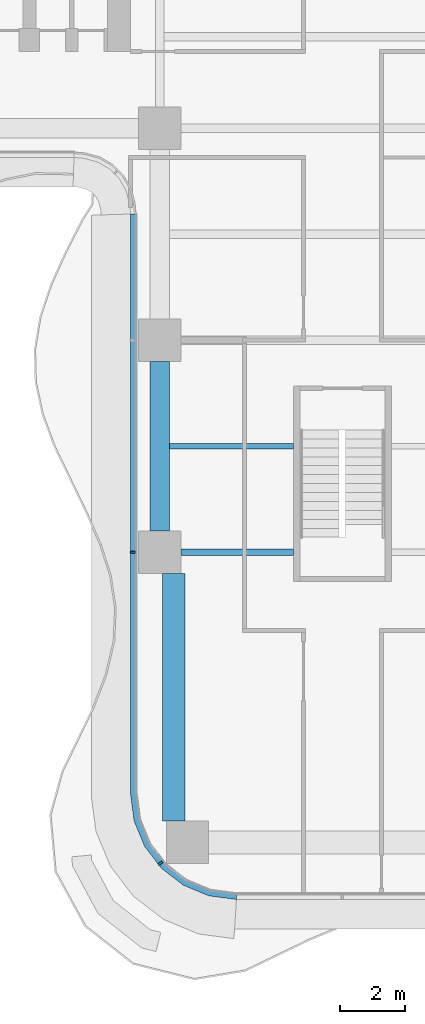
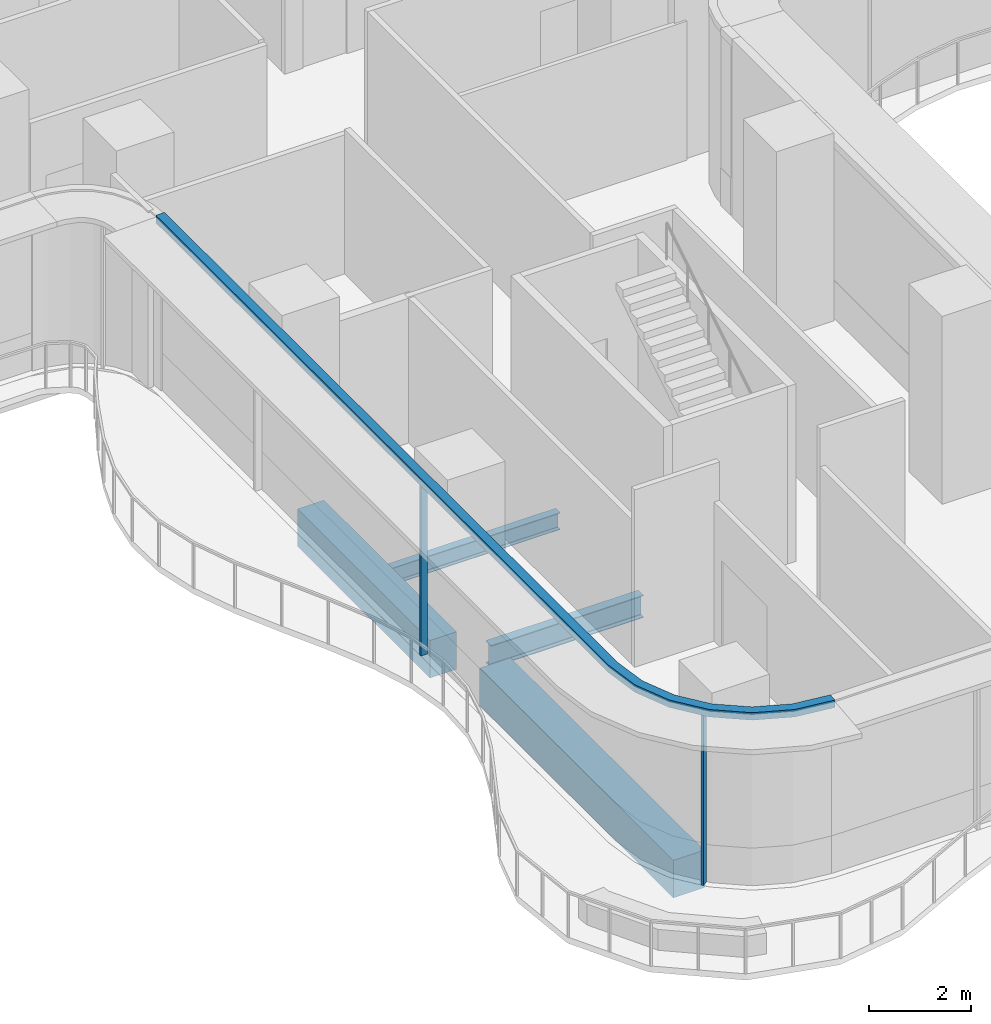
# One storey, part 2 of 23: 4 beams, 3 members, 1 element without a shape of its own.
"""IFC4 building model written with IfcOpenShell, lengths in metres."""

from ifc_helpers import new_model, si_unit, direction, frame, origin, origin_2d, place, context, subcontext, project, spatial, polyline, rectangle, i_section, outline, extrude, source, transform, mapped, material, layer, layer_set, material_profile, profile_set, type_object, element, aggregate, save


model = new_model("IFC4")

# Units and contexts
model_context = context("Model", 3, precision=1e-05, world=origin(), true_north=direction((0.0, 1.0)))
body_context = subcontext(model_context, "Body", "Model", "MODEL_VIEW")
ifc_project = project(units=[si_unit("LENGTHUNIT", "METRE"), si_unit("AREAUNIT", "SQUARE_METRE"), si_unit("VOLUMEUNIT", "CUBIC_METRE"), si_unit("PLANEANGLEUNIT", "RADIAN"), si_unit("MASSUNIT", "GRAM", prefix="KILO")], contexts=[model_context])

# Site, building, storey
site_placement = place(None, origin())
site = spatial("IfcSite", under=ifc_project, at=site_placement, CompositionType="ELEMENT")
building_placement = place(site_placement, origin())
building = spatial("IfcBuilding", under=site, at=building_placement, Name="Trellis Farm Tower", CompositionType="ELEMENT")
storey_placement = place(building_placement, frame((0.0, 0.0, 111.0)))
storey = spatial("IfcBuildingStorey", under=building, at=storey_placement, Name="L23", CompositionType="ELEMENT", Elevation=111.0)

# Beams
ifc_material_1 = material(Name="Steel S355", Category="steel")
ifc_material_profile_1 = material_profile(ifc_material_1, i_section(OverallWidth=0.177978515625, OverallDepth=0.406494140625, WebThickness=0.0078125, FlangeThickness=0.0126953125, FilletRadius=0.01025390625, at=origin_2d()), Name="UB 406x178x60")
ifc_profile_set_1 = profile_set([ifc_material_profile_1], Name="Steel S355")
beam_type_1 = type_object("IfcBeamType", Name="UB 406x178x60 joist", PredefinedType="JOIST", material=ifc_profile_set_1)
shared_shape_1 = source(origin(), body_context, "Body", "SweptSolid", [
    extrude(i_section(OverallWidth=0.177978515625, OverallDepth=0.406494140625, WebThickness=0.0078125, FlangeThickness=0.0126953125, FilletRadius=0.01025390625, at=origin_2d()), origin(), (0.0, 0.0, 1.0), 3.800048828125),
])
beam_1_placement = place(storey_placement, frame((-5.300048828125, -15.35009765625, -0.453125), z_axis=(1.0, 0.0, 0.0), x_axis=(0.0, 1.0, 0.0)))
element("IfcBeam", 1, at=beam_1_placement, inside=storey, type_object=beam_type_1, Name="Floor beam", PredefinedType="JOIST", context=body_context, shape_type="MappedRepresentation", body=[
    mapped(shared_shape_1, transform((0.0, 0.0, 0.0))),
])
ifc_material_profile_2 = material_profile(ifc_material_1, i_section(OverallWidth=0.209228515625, OverallDepth=0.533203125, WebThickness=0.010009765625, FlangeThickness=0.015625, FilletRadius=0.0126953125, at=origin_2d()), Name="UB 533x210x92")
ifc_profile_set_2 = profile_set([ifc_material_profile_2], Name="Steel S355")
beam_type_2 = type_object("IfcBeamType", Name="UB 533x210x92", PredefinedType="BEAM", material=ifc_profile_set_2)
shared_shape_2 = source(origin(), body_context, "Body", "SweptSolid", [
    extrude(i_section(OverallWidth=0.209228515625, OverallDepth=0.533203125, WebThickness=0.010009765625, FlangeThickness=0.015625, FilletRadius=0.0126953125, at=origin_2d()), origin(), (0.0, 0.0, 1.0), 3.449951171875),
])
beam_2_placement = place(storey_placement, frame((-4.949951171875, -18.60009765625, -0.5166015625), z_axis=(1.0, 0.0, 0.0), x_axis=(0.0, 1.0, 0.0)))
element("IfcBeam", 2, at=beam_2_placement, inside=storey, type_object=beam_type_2, Name="Girder", PredefinedType="BEAM", context=body_context, shape_type="MappedRepresentation", body=[
    mapped(shared_shape_2, transform((0.0, 0.0, 0.0))),
])
ifc_material_2 = material(Name="Concrete C60/75", Category="concrete")
ifc_material_profile_3 = material_profile(ifc_material_2, rectangle(XDim=0.60009765625, YDim=0.89990234375, at=origin_2d()), Name="RC spandrel beam 600x900 C60/75")
ifc_profile_set_3 = profile_set([ifc_material_profile_3], Name="Concrete C60/75")
beam_type_3 = type_object("IfcBeamType", Name="RC spandrel beam 600x900 C60/75", PredefinedType="SPANDREL", material=ifc_profile_set_3)
shared_shape_3 = source(origin(), body_context, "Body", "SweptSolid", [
    extrude(rectangle(XDim=0.60009765625, YDim=0.89990234375, at=origin_2d()), origin(), (0.0, 0.0, 1.0), 5.199951171875),
])
beam_3_placement = place(storey_placement, frame((-5.60009765625, -17.949951171875, -0.699951171875), z_axis=(0.0, 1.0, 0.0), x_axis=(-1.0, 0.0, 0.0)))
element("IfcBeam", 3, at=beam_3_placement, inside=storey, type_object=beam_type_3, Name="Girder", PredefinedType="SPANDREL", context=body_context, shape_type="MappedRepresentation", body=[
    mapped(shared_shape_3, transform((0.0, 0.0, 0.0))),
])
ifc_material_profile_4 = material_profile(ifc_material_2, rectangle(XDim=0.699951171875, YDim=0.89990234375, at=origin_2d()), Name="RC spandrel beam 700x900 C60/75")
ifc_profile_set_4 = profile_set([ifc_material_profile_4], Name="Concrete C60/75")
beam_type_4 = type_object("IfcBeamType", Name="RC spandrel beam 700x900 C60/75", PredefinedType="SPANDREL", material=ifc_profile_set_4)
shared_shape_4 = source(origin(), body_context, "Body", "SweptSolid", [
    extrude(rectangle(XDim=0.699951171875, YDim=0.89990234375, at=origin_2d()), origin(), (0.0, 0.0, 1.0), 7.60009765625),
])
beam_4_placement = place(storey_placement, frame((-5.175048828125, -26.85009765625, -0.699951171875), z_axis=(0.0, 1.0, 0.0), x_axis=(-1.0, 0.0, 0.0)))
element("IfcBeam", 4, at=beam_4_placement, inside=storey, type_object=beam_type_4, Name="Girder", PredefinedType="SPANDREL", context=body_context, shape_type="MappedRepresentation", body=[
    mapped(shared_shape_4, transform((0.0, 0.0, 0.0))),
])

# Curtain wall, members
ifc_material_3 = material(Name="Aluminium and glass curtain wall", Category="aluminium")
ifc_layer_1 = layer(ifc_material_3, 0.18994140625)
ifc_layer_set_1 = layer_set([ifc_layer_1], Name="RIBBON CURTAIN WALL CW1")
curtain_wall_type = type_object("IfcCurtainWallType", Name="RIBBON CURTAIN WALL CW1", PredefinedType="NOTDEFINED", material=ifc_layer_set_1)
curtain_wall_placement = place(storey_placement, origin())
curtain_wall = element("IfcCurtainWall", 5, at=curtain_wall_placement, inside=storey, type_object=curtain_wall_type, Name="CW1 002", PredefinedType="NOTDEFINED")
ifc_material_4 = material(Name="Aluminium extrusion 6063-T6", Category="aluminium")
ifc_material_profile_5 = material_profile(ifc_material_4, rectangle(XDim=0.06005859375, YDim=0.14990234375, at=origin_2d()), Name="MULLION 60x150")
ifc_profile_set_5 = profile_set([ifc_material_profile_5], Name="Aluminium extrusion 6063-T6")
member_type_1 = type_object("IfcMemberType", Name="CW1 MULLION 60x150", PredefinedType="MULLION", material=ifc_profile_set_5)
shared_shape_5 = source(origin(), body_context, "Body", "SweptSolid", [
    extrude(rectangle(XDim=0.06005859375, YDim=0.14990234375, at=origin_2d()), origin(), (0.0, 0.0, 1.0), 4.070068359375),
])
member_1_placement = place(storey_placement, frame((-6.425048828125, -18.60009765625, 0.0), z_axis=(0.0, 0.0, 1.0), x_axis=(0.0, -1.0, 0.0)))
member_1 = element("IfcMember", 6, at=member_1_placement, type_object=member_type_1, Name="MU1 002-02", PredefinedType="MULLION", context=body_context, shape_type="MappedRepresentation", body=[
    mapped(shared_shape_5, transform((0.0, 0.0, 0.0))),
])
member_2_placement = place(storey_placement, frame((-5.578369140625, -28.135498046875, 0.0), z_axis=(0.0, 0.0, 1.0), x_axis=(0.608761429009, -0.793353340291, 0.0)))
member_2 = element("IfcMember", 7, at=member_2_placement, type_object=member_type_1, Name="MU1 002-03", PredefinedType="MULLION", context=body_context, shape_type="MappedRepresentation", body=[
    mapped(shared_shape_5, transform((0.0, 0.0, 0.0))),
])
ifc_layer_2 = layer(ifc_material_4, 0.199951171875)
ifc_layer_set_2 = layer_set([ifc_layer_2], Name="Aluminium extrusion 6063-T6")
member_type_2 = type_object("IfcMemberType", Name="CW1 TRANSOM 200x180", PredefinedType="USERDEFINED", material=ifc_layer_set_2)
shared_shape_6 = source(origin(), body_context, "Body", "SweptSolid", [
    extrude(outline(polyline([(-6.5, -8.2314453125), (-6.5, -26.0), (-6.38916015625, -26.841064453125), (-6.064697265625, -27.625), (-5.548095703125, -28.298095703125), (-4.875, -28.814697265625), (-4.091064453125, -29.13916015625), (-3.25, -29.25), (-3.23681640625, -29.050048828125), (-4.0390625, -28.9443359375), (-4.774169921875, -28.639892578125), (-5.405517578125, -28.155517578125), (-5.889892578125, -27.524169921875), (-6.1943359375, -26.7890625), (-6.300048828125, -25.98681640625), (-6.300048828125, -8.224853515625), (-6.5, -8.2314453125)])), origin(), (0.0, 0.0, 1.0), 0.179931640625),
])
member_3_placement = place(storey_placement, frame((0.0, 0.0, 4.070068359375)))
member_3 = element("IfcMember", 8, at=member_3_placement, type_object=member_type_2, Name="TR1 002", ObjectType="TRANSOM", PredefinedType="USERDEFINED", context=body_context, shape_type="MappedRepresentation", body=[
    mapped(shared_shape_6, transform((0.0, 0.0, 0.0))),
])
aggregate(curtain_wall, [member_1, member_2, member_3])

save(model, "model.ifc")
